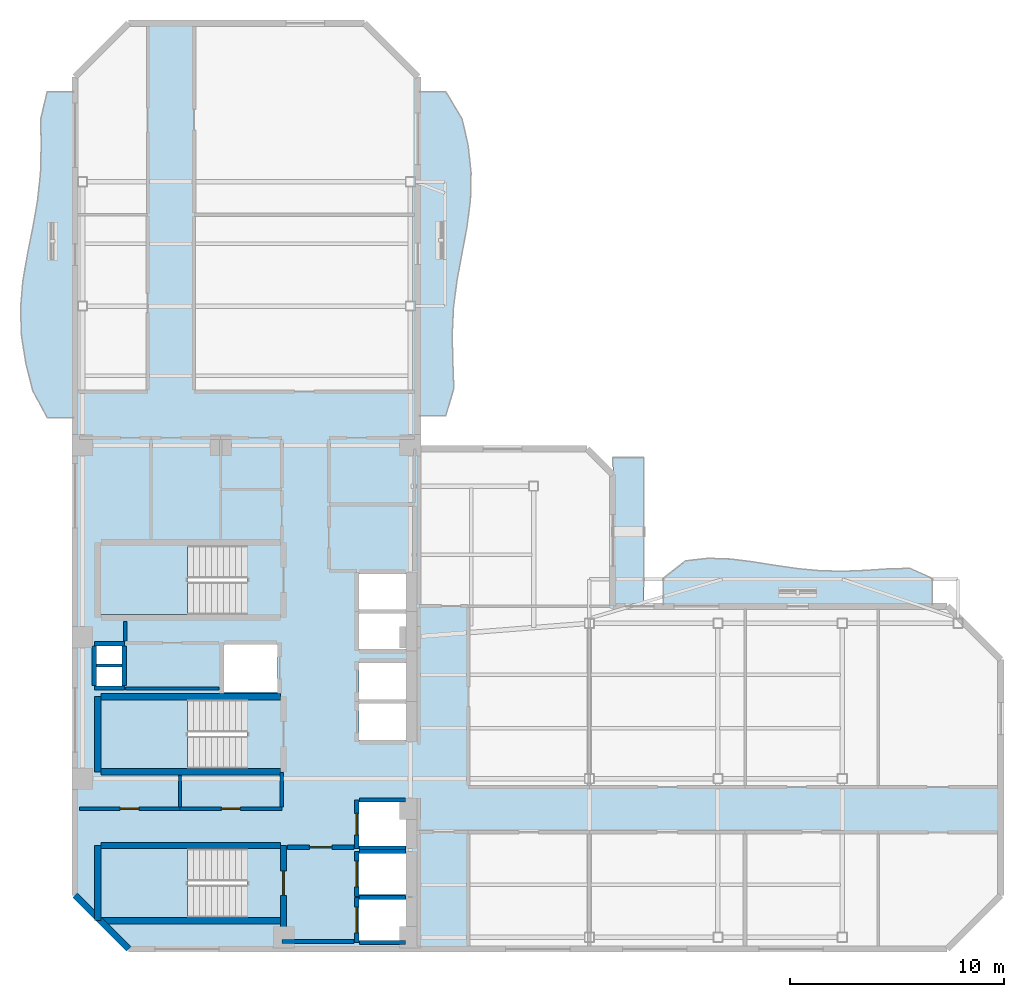
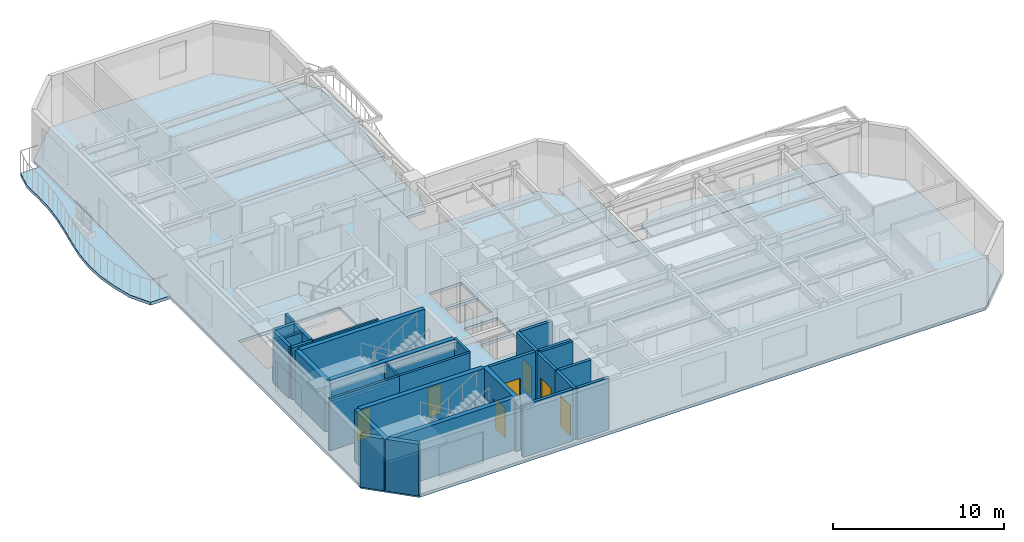
# One storey, part 2 of 9: 29 walls, 8 slabs, 7 doors, 7 openings, 3 elements without a shape of their own.
"""IFC4 building model written with IfcOpenShell, lengths in metres."""

from ifc_helpers import new_model, si_unit, direction, frame, frame_2d, origin, place, context, subcontext, project, spatial, polyline, rectangle, outline, extrude, material, layer, layer_set, type_object, element, fill, aggregate, save


model = new_model("IFC4")

# Units and contexts
model_context = context("Model", 3, precision=1e-05, world=origin(), true_north=direction((0.0, 1.0)))
body_context = subcontext(model_context, "Body", "Model", "MODEL_VIEW")
ifc_project = project(units=[si_unit("LENGTHUNIT", "METRE"), si_unit("AREAUNIT", "SQUARE_METRE"), si_unit("VOLUMEUNIT", "CUBIC_METRE"), si_unit("PLANEANGLEUNIT", "RADIAN"), si_unit("MASSUNIT", "GRAM", prefix="KILO")], contexts=[model_context])

# Site, building, storey
site_placement = place(None, origin())
site = spatial("IfcSite", under=ifc_project, at=site_placement, CompositionType="ELEMENT")
building_placement = place(site_placement, origin())
building = spatial("IfcBuilding", under=site, at=building_placement, Name="Mawjaban Terraces University", CompositionType="ELEMENT")
storey_placement = place(building_placement, frame((0.0, 0.0, 195.300048828125)))
storey = spatial("IfcBuildingStorey", under=building, at=storey_placement, Name="L47", CompositionType="ELEMENT", Elevation=195.300048828125)

# Slabs
ifc_material_1 = material(Name="Concrete C40/50", Category="concrete")
ifc_layer_1 = layer(ifc_material_1, 0.2099609375)
ifc_layer_set_1 = layer_set([ifc_layer_1], Name="Concrete C40/50")
slab_type_1 = type_object("IfcSlabType", Name="BalconySlab_210_Ext", PredefinedType="FLOOR", material=ifc_layer_set_1)
slab_1_placement = place(storey_placement, frame((0.0, 0.0, -0.2099609375)))
element("IfcSlab", 1, at=slab_1_placement, inside=storey, type_object=slab_type_1, Name="L47 Planted Balcony Slab west", PredefinedType="FLOOR", context=body_context, shape_type="SweptSolid", body=[
    extrude(outline(polyline([(22.010009765625, 24.800048828125), (22.010009765625, 40.0), (20.699951171875, 40.0), (20.403076171875, 38.73291015625), (20.422119140625, 37.467041015625), (20.388916015625, 36.199951171875), (20.2548828125, 34.93310546875), (20.032958984375, 33.6669921875), (19.777099609375, 32.39990234375), (19.56201171875, 31.133056640625), (19.4580078125, 29.866943359375), (19.506103515625, 28.60009765625), (19.705078125, 27.3330078125), (20.02392578125, 26.06689453125), (20.699951171875, 24.800048828125), (22.010009765625, 24.800048828125)])), origin(), (0.0, 0.0, 1.0), 0.2099609375),
])
slab_2_placement = place(storey_placement, frame((0.0, 0.0, -0.2099609375)))
element("IfcSlab", 2, at=slab_2_placement, inside=storey, type_object=slab_type_1, Name="L47 Planted Balcony Slab inner_north", PredefinedType="FLOOR", context=body_context, shape_type="SweptSolid", body=[
    extrude(outline(polyline([(49.449951171875, 15.989990234375), (62.0, 15.989990234375), (62.0, 17.300048828125), (60.9541015625, 17.764892578125), (59.907958984375, 17.736083984375), (58.862060546875, 17.666015625), (57.81689453125, 17.6259765625), (56.77099609375, 17.65087890625), (55.72509765625, 17.7490234375), (54.678955078125, 17.90087890625), (53.633056640625, 18.068115234375), (52.587890625, 18.196044921875), (51.5419921875, 18.23291015625), (50.49609375, 18.114990234375), (49.449951171875, 17.300048828125), (49.449951171875, 15.989990234375)])), origin(), (0.0, 0.0, 1.0), 0.2099609375),
])
slab_3_placement = place(storey_placement, frame((0.0, 0.0, -0.2099609375)))
element("IfcSlab", 3, at=slab_3_placement, inside=storey, type_object=slab_type_1, Name="L47 Planted Balcony Slab inner_east", PredefinedType="FLOOR", context=body_context, shape_type="SweptSolid", body=[
    extrude(outline(polyline([(39.300048828125, 24.887939453125), (39.676025390625, 26.14697265625), (39.6298828125, 27.406982421875), (39.60107421875, 28.666015625), (39.659912109375, 29.925048828125), (39.822998046875, 31.18505859375), (40.055908203125, 32.444091796875), (40.291015625, 33.702880859375), (40.452880859375, 34.962890625), (40.48095703125, 36.221923828125), (40.347900390625, 37.48095703125), (40.06103515625, 38.740966796875), (39.300048828125, 40.0), (37.989990234375, 40.0), (37.989990234375, 24.887939453125), (39.300048828125, 24.887939453125)])), origin(), (0.0, 0.0, 1.0), 0.2099609375),
])
ifc_layer_2 = layer(ifc_material_1, 0.2099609375)
ifc_layer_set_2 = layer_set([ifc_layer_2], Name="Concrete C40/50")
slab_type_2 = type_object("IfcSlabType", Name="CompositeSlab_210", PredefinedType="FLOOR", material=ifc_layer_set_2)
slab_4_placement = place(storey_placement, frame((0.0, 0.0, -0.2099609375)))
element("IfcSlab", 4, at=slab_4_placement, inside=storey, type_object=slab_type_2, Name="L47 Primary Structural Slab", PredefinedType="FLOOR", context=body_context, shape_type="SweptSolid", body=[
    extrude(outline(polyline([(24.5, 0.0), (62.699951171875, 0.0), (65.199951171875, 2.5), (65.199951171875, 13.5), (62.699951171875, 16.0), (47.10009765625, 16.0), (47.10009765625, 22.135009765625), (45.89990234375, 23.3349609375), (38.0, 23.3349609375), (38.0, 40.699951171875), (35.5, 43.199951171875), (24.5, 43.199951171875), (22.0, 40.699951171875), (22.0, 2.5), (24.5, 0.0)]), holes=[polyline([(30.014892578125, 4.699951171875), (23.199951171875, 4.699951171875), (23.199951171875, 1.449951171875), (30.014892578125, 1.449951171875), (30.014892578125, 4.699951171875)]), polyline([(30.014892578125, 18.85009765625), (23.199951171875, 18.85009765625), (23.199951171875, 15.60009765625), (30.014892578125, 15.60009765625), (30.014892578125, 18.85009765625)]), polyline([(30.014892578125, 11.64990234375), (23.199951171875, 11.64990234375), (23.199951171875, 8.39990234375), (30.014892578125, 8.39990234375), (30.014892578125, 11.64990234375)]), polyline([(35.25, 0.39990234375), (37.449951171875, 0.39990234375), (37.449951171875, 2.300048828125), (35.25, 2.300048828125), (35.25, 0.39990234375)]), polyline([(35.25, 2.550048828125), (37.449951171875, 2.550048828125), (37.449951171875, 4.449951171875), (35.25, 4.449951171875), (35.25, 2.550048828125)]), polyline([(35.25, 4.800048828125), (37.449951171875, 4.800048828125), (37.449951171875, 6.85009765625), (35.25, 6.85009765625), (35.25, 4.800048828125)]), polyline([(35.25, 9.75), (37.449951171875, 9.75), (37.449951171875, 11.449951171875), (35.25, 11.449951171875), (35.25, 9.75)]), polyline([(35.25, 11.64990234375), (37.449951171875, 11.64990234375), (37.449951171875, 13.35009765625), (35.25, 13.35009765625), (35.25, 11.64990234375)]), polyline([(28.949951171875, 12.0), (31.449951171875, 12.0), (31.449951171875, 14.199951171875), (28.949951171875, 14.199951171875), (28.949951171875, 12.0)]), polyline([(35.25, 14.0), (37.449951171875, 14.0), (37.449951171875, 15.64990234375), (35.25, 15.64990234375), (35.25, 14.0)]), polyline([(35.25, 15.85009765625), (37.449951171875, 15.85009765625), (37.449951171875, 17.5), (35.25, 17.5), (35.25, 15.85009765625)]), polyline([(23.0, 12.25), (24.199951171875, 12.25), (24.199951171875, 13.14990234375), (23.0, 13.14990234375), (23.0, 12.25)]), polyline([(23.0, 13.300048828125), (24.199951171875, 13.300048828125), (24.199951171875, 14.179931640625), (23.0, 14.179931640625), (23.0, 13.300048828125)])]), origin(), (0.0, 0.0, 1.0), 0.2099609375),
])

# Stair, slab
stair_type = type_object("IfcStairType", Name="Stair_Core1550_H39", PredefinedType="HALF_TURN_STAIR", material=ifc_material_1)
stair_1_placement = place(storey_placement, origin())
stair_1 = element("IfcStair", 5, at=stair_1_placement, inside=storey, type_object=stair_type, Name="L47 Core Exit Stair 1", PredefinedType="HALF_TURN_STAIR")
ifc_layer_3 = layer(ifc_material_1, 0.199951171875)
ifc_layer_set_3 = layer_set([ifc_layer_3], Name="Concrete C40/50")
slab_type_3 = type_object("IfcSlabType", Name="StairLandingSlab_200", PredefinedType="LANDING", material=ifc_layer_set_3)
slab_5_placement = place(storey_placement, frame((0.0, 0.0, 1.75)))
slab_5 = element("IfcSlab", 6, at=slab_5_placement, type_object=slab_type_3, Name="ST-1 landing 1", PredefinedType="LANDING", context=body_context, shape_type="SweptSolid", body=[
    extrude(outline(polyline([(27.25, 4.699951171875), (23.199951171875, 4.699951171875), (23.199951171875, 1.449951171875), (27.25, 1.449951171875), (27.25, 4.699951171875)])), origin(), (0.0, 0.0, 1.0), 0.199951171875),
])
aggregate(stair_1, [slab_5])

stair_2_placement = place(storey_placement, origin())
stair_2 = element("IfcStair", 7, at=stair_2_placement, inside=storey, type_object=stair_type, Name="L47 Core Exit Stair 2", PredefinedType="HALF_TURN_STAIR")
slab_6_placement = place(storey_placement, frame((0.0, 0.0, 1.75)))
slab_6 = element("IfcSlab", 8, at=slab_6_placement, type_object=slab_type_3, Name="ST-2 landing 1", PredefinedType="LANDING", context=body_context, shape_type="SweptSolid", body=[
    extrude(outline(polyline([(27.25, 18.85009765625), (23.199951171875, 18.85009765625), (23.199951171875, 15.60009765625), (27.25, 15.60009765625), (27.25, 18.85009765625)])), origin(), (0.0, 0.0, 1.0), 0.199951171875),
])
aggregate(stair_2, [slab_6])

stair_3_placement = place(storey_placement, origin())
stair_3 = element("IfcStair", 9, at=stair_3_placement, inside=storey, type_object=stair_type, Name="L47 Core Exit Stair 3", PredefinedType="HALF_TURN_STAIR")
slab_7_placement = place(storey_placement, frame((0.0, 0.0, 1.75)))
slab_7 = element("IfcSlab", 10, at=slab_7_placement, type_object=slab_type_3, Name="ST-3 landing 1", PredefinedType="LANDING", context=body_context, shape_type="SweptSolid", body=[
    extrude(outline(polyline([(27.25, 11.64990234375), (23.199951171875, 11.64990234375), (23.199951171875, 8.39990234375), (27.25, 8.39990234375), (27.25, 11.64990234375)])), origin(), (0.0, 0.0, 1.0), 0.199951171875),
])
aggregate(stair_3, [slab_7])

# Slab
ifc_layer_4 = layer(ifc_material_1, 0.2099609375)
ifc_layer_set_4 = layer_set([ifc_layer_4], Name="Concrete C40/50")
slab_type_4 = type_object("IfcSlabType", Name="StudyTerraceSlab_210_Ext", PredefinedType="FLOOR", material=ifc_layer_set_4)
slab_8_placement = place(storey_placement, frame((0.0, 0.0, -0.2099609375)))
element("IfcSlab", 11, at=slab_8_placement, inside=storey, type_object=slab_type_4, Name="L47 Exterior Study Terrace Slab", PredefinedType="FLOOR", context=body_context, shape_type="SweptSolid", body=[
    extrude(outline(polyline([(47.10009765625, 16.0), (48.550048828125, 16.0), (48.550048828125, 22.93505859375), (47.10009765625, 22.93505859375), (47.10009765625, 16.0)])), origin(), (0.0, 0.0, 1.0), 0.2099609375),
])

# Wall, opening, door
ifc_material_2 = material(Name="Fire-rated gypsum board on steel stud", Category="steel")
ifc_layer_5 = layer(ifc_material_2, 0.159912109375)
ifc_layer_set_5 = layer_set([ifc_layer_5], Name="Fire-rated gypsum board on steel stud")
wall_type_1 = type_object("IfcWallType", Name="CorridorPartition_160", PredefinedType="PARTITIONING", material=ifc_layer_set_5)
wall_1_placement = place(storey_placement, frame((26.89990234375, 6.550048828125, 0.0), z_axis=(0.0, 0.0, 1.0), x_axis=(-1.0, 0.0, 0.0)))
wall_1 = element("IfcWall", 12, at=wall_1_placement, inside=storey, type_object=wall_type_1, Name="L47 Core Washroom Lobby Partition 6", PredefinedType="PARTITIONING", context=body_context, shape_type="SweptSolid", body=[
    extrude(rectangle(XDim=4.699951171875, YDim=0.159912109375, at=frame_2d((2.35009765625, 0.0))), origin(), (0.0, 0.0, 1.0), 3.68994140625),
])
opening_1_placement = place(wall_1_placement, frame((1.909912109375, 0.0, 0.0)))
opening_1 = element("IfcOpeningElement", 13, at=opening_1_placement, cuts=wall_1, Name="Opening ID-088", PredefinedType="OPENING", context=body_context, shape_type="SweptSolid", body=[
    extrude(rectangle(XDim=0.8798828125, YDim=2.10009765625, at=frame_2d((0.43994140625, 1.050048828125))), frame((0.0, 0.08984375, 0.0), z_axis=(0.0, -1.0, 0.0), x_axis=(1.0, 0.0, 0.0)), (0.0, 0.0, 1.0), 0.179931640625),
])
ifc_material_3 = material(Name="Powder-coated steel frame and solid acoustic timber leaf", Category="steel")
door_type_1 = type_object("IfcDoorType", Name="ToiletDoor_880x2100", OperationType="NOTDEFINED", PredefinedType="DOOR", material=ifc_material_3)
door_1_placement = place(opening_1_placement, origin())
door_1 = element("IfcDoor", 14, at=door_1_placement, inside=storey, type_object=door_type_1, Name="L47 Male Toilet Door", OperationType="SINGLE_SWING_RIGHT", OverallHeight=2.10009765625, OverallWidth=0.8798828125, PredefinedType="DOOR", context=body_context, shape_type="SweptSolid", body=[
    extrude(rectangle(XDim=0.8798828125, YDim=2.10009765625, at=frame_2d((0.43994140625, 1.050048828125))), frame((0.0, 0.02490234375, 0.0), z_axis=(0.0, -1.0, 0.0), x_axis=(1.0, 0.0, 0.0)), (0.0, 0.0, 1.0), 0.050048828125),
])
fill(opening_1, door_1)

wall_2_placement = place(storey_placement, frame((31.64990234375, 6.550048828125, 0.0), z_axis=(0.0, 0.0, 1.0), x_axis=(-1.0, 0.0, 0.0)))
wall_2 = element("IfcWall", 15, at=wall_2_placement, inside=storey, type_object=wall_type_1, Name="L47 Core Washroom Lobby Partition 9", PredefinedType="PARTITIONING", context=body_context, shape_type="SweptSolid", body=[
    extrude(rectangle(XDim=4.75, YDim=0.159912109375, at=frame_2d((2.375, 0.0))), origin(), (0.0, 0.0, 1.0), 3.68994140625),
])
opening_2_placement = place(wall_2_placement, frame((1.93505859375, 0.0, 0.0)))
opening_2 = element("IfcOpeningElement", 16, at=opening_2_placement, cuts=wall_2, Name="Opening ID-088", PredefinedType="OPENING", context=body_context, shape_type="SweptSolid", body=[
    extrude(rectangle(XDim=0.8798828125, YDim=2.10009765625, at=frame_2d((0.43994140625, 1.050048828125))), frame((0.0, 0.08984375, 0.0), z_axis=(0.0, -1.0, 0.0), x_axis=(1.0, 0.0, 0.0)), (0.0, 0.0, 1.0), 0.179931640625),
])
door_2_placement = place(opening_2_placement, origin())
door_2 = element("IfcDoor", 17, at=door_2_placement, inside=storey, type_object=door_type_1, Name="L47 Accessible Toilet Door", OperationType="SINGLE_SWING_LEFT", OverallHeight=2.10009765625, OverallWidth=0.8798828125, PredefinedType="DOOR", context=body_context, shape_type="SweptSolid", body=[
    extrude(rectangle(XDim=0.8798828125, YDim=2.10009765625, at=frame_2d((0.43994140625, 1.050048828125))), frame((0.0, 0.02490234375, 0.0), z_axis=(0.0, -1.0, 0.0), x_axis=(1.0, 0.0, 0.0)), (0.0, 0.0, 1.0), 0.050048828125),
])
fill(opening_2, door_2)

# Walls
wall_3_placement = place(storey_placement, frame((24.35009765625, 15.2900390625, 0.0), z_axis=(0.0, 0.0, 1.0), x_axis=(0.0, -1.0, 0.0)))
element("IfcWall", 18, at=wall_3_placement, inside=storey, type_object=wall_type_1, Name="L47 Core Riser Access Passage Partition 30", PredefinedType="PARTITIONING", context=body_context, shape_type="SweptSolid", body=[
    extrude(rectangle(XDim=0.9150390625, YDim=0.159912109375, at=frame_2d((0.45751953125, 0.0))), origin(), (0.0, 0.0, 1.0), 3.68994140625),
])
wall_4_placement = place(storey_placement, frame((31.64990234375, 8.239990234375, 0.0), z_axis=(0.0, 0.0, 1.0), x_axis=(0.0, -1.0, 0.0)))
element("IfcWall", 19, at=wall_4_placement, inside=storey, type_object=wall_type_1, Name="L47 High-Rise Lift Lobby Partition 39", PredefinedType="PARTITIONING", context=body_context, shape_type="SweptSolid", body=[
    extrude(rectangle(XDim=1.614990234375, YDim=0.159912109375, at=frame_2d((0.8076171875, 0.0))), origin(), (0.0, 0.0, 1.0), 3.68994140625),
])
ifc_material_4 = material(Name="Insulated terracotta rainscreen on concrete backup C40/50", Category="masonry")
ifc_layer_6 = layer(ifc_material_4, 0.300048828125)
ifc_layer_set_6 = layer_set([ifc_layer_6], Name="Insulated terracotta rainscreen on concrete backup C40/50")
wall_type_2 = type_object("IfcWallType", Name="ExtTerracottaWall_300", PredefinedType="SOLIDWALL", material=ifc_layer_set_6)
wall_5_placement = place(storey_placement, frame((22.0, 2.5, 0.0), z_axis=(0.0, 0.0, 1.0), x_axis=(0.707106781187, -0.707106781187, 0.0)))
element("IfcWall", 20, at=wall_5_placement, inside=storey, type_object=wall_type_2, Name="L47 Exterior Terracotta Wall 14", PredefinedType="SOLIDWALL", context=body_context, shape_type="SweptSolid", body=[
    extrude(rectangle(XDim=3.53564453125, YDim=0.300048828125, at=frame_2d((1.767822265625, 0.0))), origin(), (0.0, 0.0, 1.0), 3.68994140625),
])

# Wall, opening, door
ifc_layer_7 = layer(ifc_material_1, 0.199951171875)
ifc_layer_set_7 = layer_set([ifc_layer_7], Name="Concrete C40/50")
wall_type_3 = type_object("IfcWallType", Name="FireLobbyWall_200", PredefinedType="SOLIDWALL", material=ifc_layer_set_7)
wall_6_placement = place(storey_placement, frame((35.14990234375, 2.39990234375, 0.0), z_axis=(0.0, 0.0, 1.0), x_axis=(0.0, -1.0, 0.0)))
wall_6 = element("IfcWall", 21, at=wall_6_placement, inside=storey, type_object=wall_type_3, Name="L47 Lift FL-1 Hoistway Wall West", PredefinedType="SOLIDWALL", context=body_context, shape_type="SweptSolid", body=[
    extrude(rectangle(XDim=2.099853515625, YDim=0.199951171875, at=frame_2d((1.0498046875, 0.0))), origin(), (0.0, 0.0, 1.0), 3.68994140625),
])
opening_3_placement = place(wall_6_placement, frame((0.449951171875, 0.0, 0.0)))
opening_3 = element("IfcOpeningElement", 22, at=opening_3_placement, cuts=wall_6, Name="Opening LD-FL-1", PredefinedType="OPENING", context=body_context, shape_type="SweptSolid", body=[
    extrude(rectangle(XDim=1.199951171875, YDim=2.14990234375, at=frame_2d((0.60009765625, 1.074951171875))), frame((0.0, 0.10986328125, 0.0), z_axis=(0.0, -1.0, 0.0), x_axis=(1.0, 0.0, 0.0)), (0.0, 0.0, 1.0), 0.219970703125),
])
ifc_material_5 = material(Name="Powder-coated steel frame and fire-rated steel-faced leaf", Category="steel")
door_type_2 = type_object("IfcDoorType", Name="LiftLandingFSAE_1200x2150", OperationType="NOTDEFINED", PredefinedType="DOOR", material=ifc_material_5)
door_3_placement = place(opening_3_placement, origin())
door_3 = element("IfcDoor", 23, at=door_3_placement, inside=storey, type_object=door_type_2, Name="L47 Lift FL-1 Sliding Landing Door", OperationType="DOUBLE_DOOR_SLIDING", OverallHeight=2.14990234375, OverallWidth=1.199951171875, PredefinedType="DOOR", context=body_context, shape_type="SweptSolid", body=[
    extrude(rectangle(XDim=1.199951171875, YDim=2.14990234375, at=frame_2d((0.60009765625, 1.074951171875))), frame((0.0, 0.02490234375, 0.0), z_axis=(0.0, -1.0, 0.0), x_axis=(1.0, 0.0, 0.0)), (0.0, 0.0, 1.0), 0.050048828125),
])
fill(opening_3, door_3)

# Walls
for number, where, z_axis, x_axis, name in (
    (24, (35.280029296875, 0.300048828125, 0.0), (0.0, 0.0, 1.0), (1.0, 0.0, 0.0), "L47 Lift FL-1 Hoistway Wall South"),
    (25, (37.419921875, 2.39990234375, 0.0), (0.0, 0.0, 1.0), (-1.0, 0.0, 0.0), "L47 Lift FL-1 Hoistway Wall North"),
):
    element("IfcWall", number, at=place(storey_placement, frame(where, z_axis=z_axis, x_axis=x_axis)), inside=storey, type_object=wall_type_3, Name=name, PredefinedType="SOLIDWALL", context=body_context, shape_type="SweptSolid", body=[
        extrude(rectangle(XDim=2.139892578125, YDim=0.199951171875, at=frame_2d((1.06982421875, 0.0))), origin(), (0.0, 0.0, 1.0), 3.68994140625),
    ])

# Wall, opening, door
wall_7_placement = place(storey_placement, frame((35.14990234375, 4.550048828125, 0.0), z_axis=(0.0, 0.0, 1.0), x_axis=(0.0, -1.0, 0.0)))
wall_7 = element("IfcWall", 26, at=wall_7_placement, inside=storey, type_object=wall_type_3, Name="L47 Lift FL-2 Hoistway Wall West", PredefinedType="SOLIDWALL", context=body_context, shape_type="SweptSolid", body=[
    extrude(rectangle(XDim=2.10009765625, YDim=0.199951171875, at=frame_2d((1.050048828125, 0.0))), origin(), (0.0, 0.0, 1.0), 3.68994140625),
])
opening_4_placement = place(wall_7_placement, frame((0.449951171875, 0.0, 0.0)))
opening_4 = element("IfcOpeningElement", 27, at=opening_4_placement, cuts=wall_7, Name="Opening LD-FL-2", PredefinedType="OPENING", context=body_context, shape_type="SweptSolid", body=[
    extrude(rectangle(XDim=1.199951171875, YDim=2.14990234375, at=frame_2d((0.60009765625, 1.074951171875))), frame((0.0, 0.10986328125, 0.0), z_axis=(0.0, -1.0, 0.0), x_axis=(1.0, 0.0, 0.0)), (0.0, 0.0, 1.0), 0.219970703125),
])
door_4_placement = place(opening_4_placement, origin())
door_4 = element("IfcDoor", 28, at=door_4_placement, inside=storey, type_object=door_type_2, Name="L47 Lift FL-2 Sliding Landing Door", OperationType="DOUBLE_DOOR_SLIDING", OverallHeight=2.14990234375, OverallWidth=1.199951171875, PredefinedType="DOOR", context=body_context, shape_type="SweptSolid", body=[
    extrude(rectangle(XDim=1.199951171875, YDim=2.14990234375, at=frame_2d((0.60009765625, 1.074951171875))), frame((0.0, 0.02490234375, 0.0), z_axis=(0.0, -1.0, 0.0), x_axis=(1.0, 0.0, 0.0)), (0.0, 0.0, 1.0), 0.050048828125),
])
fill(opening_4, door_4)

# Wall
wall_8_placement = place(storey_placement, frame((37.419921875, 4.550048828125, 0.0), z_axis=(0.0, 0.0, 1.0), x_axis=(-1.0, 0.0, 0.0)))
element("IfcWall", 29, at=wall_8_placement, inside=storey, type_object=wall_type_3, Name="L47 Lift FL-2 Hoistway Wall North", PredefinedType="SOLIDWALL", context=body_context, shape_type="SweptSolid", body=[
    extrude(rectangle(XDim=2.139892578125, YDim=0.199951171875, at=frame_2d((1.06982421875, 0.0))), origin(), (0.0, 0.0, 1.0), 3.68994140625),
])

# Wall, opening, door
wall_9_placement = place(storey_placement, frame((35.14990234375, 6.949951171875, 0.0), z_axis=(0.0, 0.0, 1.0), x_axis=(0.0, -1.0, 0.0)))
wall_9 = element("IfcWall", 30, at=wall_9_placement, inside=storey, type_object=wall_type_3, Name="L47 Lift SL-1 Hoistway Wall West", PredefinedType="SOLIDWALL", context=body_context, shape_type="SweptSolid", body=[
    extrude(rectangle(XDim=2.25, YDim=0.199951171875, at=frame_2d((1.125, 0.0))), origin(), (0.0, 0.0, 1.0), 3.68994140625),
])
opening_5_placement = place(wall_9_placement, frame((0.625, 0.0, 0.0)))
opening_5 = element("IfcOpeningElement", 31, at=opening_5_placement, cuts=wall_9, Name="Opening LD-SL-1", PredefinedType="OPENING", context=body_context, shape_type="SweptSolid", body=[
    extrude(rectangle(XDim=1.0, YDim=2.10009765625, at=frame_2d((0.5, 1.050048828125))), frame((0.0, 0.10986328125, 0.0), z_axis=(0.0, -1.0, 0.0), x_axis=(1.0, 0.0, 0.0)), (0.0, 0.0, 1.0), 0.219970703125),
])
door_type_3 = type_object("IfcDoorType", Name="LiftLandingSliding_1000x2100", OperationType="NOTDEFINED", PredefinedType="DOOR", material=ifc_material_5)
door_5_placement = place(opening_5_placement, origin())
door_5 = element("IfcDoor", 32, at=door_5_placement, inside=storey, type_object=door_type_3, Name="L47 Lift SL-1 Sliding Landing Door", OperationType="DOUBLE_DOOR_SLIDING", OverallHeight=2.10009765625, OverallWidth=1.0, PredefinedType="DOOR", context=body_context, shape_type="SweptSolid", body=[
    extrude(rectangle(XDim=1.0, YDim=2.10009765625, at=frame_2d((0.5, 1.050048828125))), frame((0.0, 0.02490234375, 0.0), z_axis=(0.0, -1.0, 0.0), x_axis=(1.0, 0.0, 0.0)), (0.0, 0.0, 1.0), 0.050048828125),
])
fill(opening_5, door_5)

# Walls
for number, where, z_axis, x_axis, name in (
    (33, (35.280029296875, 4.699951171875, 0.0), (0.0, 0.0, 1.0), (1.0, 0.0, 0.0), "L47 Lift SL-1 Hoistway Wall South"),
    (34, (37.419921875, 6.949951171875, 0.0), (0.0, 0.0, 1.0), (-1.0, 0.0, 0.0), "L47 Lift SL-1 Hoistway Wall North"),
):
    element("IfcWall", number, at=place(storey_placement, frame(where, z_axis=z_axis, x_axis=x_axis)), inside=storey, type_object=wall_type_3, Name=name, PredefinedType="SOLIDWALL", context=body_context, shape_type="SweptSolid", body=[
        extrude(rectangle(XDim=2.139892578125, YDim=0.199951171875, at=frame_2d((1.06982421875, 0.0))), origin(), (0.0, 0.0, 1.0), 3.68994140625),
    ])
for number, where, z_axis, x_axis, name in (
    (35, (22.89990234375, 14.25, 0.0), (0.0, 0.0, 1.0), (1.0, 0.0, 0.0), "L47 MEP Riser Shaft Wall N"),
    (36, (22.89990234375, 12.179931640625, 0.0), (0.0, 0.0, 1.0), (1.0, 0.0, 0.0), "L47 MEP Riser Shaft Wall S"),
):
    element("IfcWall", number, at=place(storey_placement, frame(where, z_axis=z_axis, x_axis=x_axis)), inside=storey, type_object=wall_type_3, Name=name, PredefinedType="SOLIDWALL", context=body_context, shape_type="SweptSolid", body=[
        extrude(rectangle(XDim=1.400146484375, YDim=0.199951171875, at=frame_2d((0.7001953125, 0.0))), origin(), (0.0, 0.0, 1.0), 3.68994140625),
    ])
for number, where, z_axis, x_axis, name in (
    (37, (24.300048828125, 12.300048828125, 0.0), (0.0, 0.0, 1.0), (0.0, 1.0, 0.0), "L47 MEP Riser Shaft Wall E"),
    (38, (22.89990234375, 12.300048828125, 0.0), (0.0, 0.0, 1.0), (0.0, 1.0, 0.0), "L47 MEP Riser Shaft Wall W"),
):
    element("IfcWall", number, at=place(storey_placement, frame(where, z_axis=z_axis, x_axis=x_axis)), inside=storey, type_object=wall_type_3, Name=name, PredefinedType="SOLIDWALL", context=body_context, shape_type="SweptSolid", body=[
        extrude(rectangle(XDim=1.829833984375, YDim=0.199951171875, at=frame_2d((0.9150390625, 0.0))), origin(), (0.0, 0.0, 1.0), 3.68994140625),
    ])
wall_10_placement = place(storey_placement, frame((31.64990234375, 0.35009765625, 0.0), z_axis=(0.0, 0.0, 1.0), x_axis=(1.0, 0.0, 0.0)))
element("IfcWall", 39, at=wall_10_placement, inside=storey, type_object=wall_type_3, Name="L47 Firefighting Lift Lobby Partition 8", PredefinedType="SOLIDWALL", context=body_context, shape_type="SweptSolid", body=[
    extrude(rectangle(XDim=3.3701171875, YDim=0.199951171875, at=frame_2d((1.68505859375, 0.0))), origin(), (0.0, 0.0, 1.0), 3.68994140625),
])

# Wall, opening, door
wall_11_placement = place(storey_placement, frame((35.02001953125, 4.75, 0.0), z_axis=(0.0, 0.0, 1.0), x_axis=(-1.0, 0.0, 0.0)))
wall_11 = element("IfcWall", 40, at=wall_11_placement, inside=storey, type_object=wall_type_3, Name="L47 Firefighting Lift Lobby Partition 13", PredefinedType="SOLIDWALL", context=body_context, shape_type="SweptSolid", body=[
    extrude(rectangle(XDim=3.110107421875, YDim=0.199951171875, at=frame_2d((1.55517578125, 0.0))), origin(), (0.0, 0.0, 1.0), 3.68994140625),
])
opening_6_placement = place(wall_11_placement, frame((1.030029296875, 0.0, 0.0)))
opening_6 = element("IfcOpeningElement", 41, at=opening_6_placement, cuts=wall_11, Name="Opening FD-105", PredefinedType="OPENING", context=body_context, shape_type="SweptSolid", body=[
    extrude(rectangle(XDim=1.050048828125, YDim=2.14990234375, at=frame_2d((0.52490234375, 1.074951171875))), frame((0.0, 0.10986328125, 0.0), z_axis=(0.0, -1.0, 0.0), x_axis=(1.0, 0.0, 0.0)), (0.0, 0.0, 1.0), 0.219970703125),
])
door_type_4 = type_object("IfcDoorType", Name="FireLobbyDoor_1050x2150", OperationType="NOTDEFINED", PredefinedType="DOOR", material=ifc_material_5)
door_6_placement = place(opening_6_placement, origin())
door_6 = element("IfcDoor", 42, at=door_6_placement, inside=storey, type_object=door_type_4, Name="L47 Firefighting Lift Lobby Door", OperationType="SINGLE_SWING_LEFT", OverallHeight=2.14990234375, OverallWidth=1.050048828125, PredefinedType="DOOR", context=body_context, shape_type="SweptSolid", body=[
    extrude(rectangle(XDim=1.050048828125, YDim=2.14990234375, at=frame_2d((0.52490234375, 1.074951171875))), frame((0.0, 0.02490234375, 0.0), z_axis=(0.0, -1.0, 0.0), x_axis=(1.0, 0.0, 0.0)), (0.0, 0.0, 1.0), 0.050048828125),
])
fill(opening_6, door_6)

# Walls
ifc_material_6 = material(Name="Moisture-resistant gypsum board on steel stud", Category="steel")
ifc_layer_8 = layer(ifc_material_6, 0.14501953125)
ifc_layer_set_8 = layer_set([ifc_layer_8], Name="Moisture-resistant gypsum board on steel stud")
wall_type_4 = type_object("IfcWallType", Name="LabPartition_145", PredefinedType="PARTITIONING", material=ifc_layer_set_8)
wall_12_placement = place(storey_placement, frame((23.010009765625, 13.22509765625, 0.0), z_axis=(0.0, 0.0, 1.0), x_axis=(1.0, 0.0, 0.0)))
element("IfcWall", 43, at=wall_12_placement, inside=storey, type_object=wall_type_4, Name="L47 MEP Riser Shaft Wall M", PredefinedType="PARTITIONING", context=body_context, shape_type="SweptSolid", body=[
    extrude(rectangle(XDim=1.179931640625, YDim=0.14501953125, at=frame_2d((0.58984375, 0.0))), origin(), (0.0, 0.0, 1.0), 3.68994140625),
])
ifc_material_7 = material(Name="Concrete C60/75", Category="concrete")
ifc_layer_9 = layer(ifc_material_7, 0.300048828125)
ifc_layer_set_9 = layer_set([ifc_layer_9], Name="Concrete C60/75")
wall_type_5 = type_object("IfcWallType", Name="StairShaftWall_300", PredefinedType="SHEAR", material=ifc_layer_set_9)
wall_13_placement = place(storey_placement, frame((31.580078125, 4.830078125, 0.0), z_axis=(0.0, 0.0, 1.0), x_axis=(-1.0, 0.0, 0.0)))
element("IfcWall", 44, at=wall_13_placement, inside=storey, type_object=wall_type_5, Name="L47 ST-1 Stair Shaft Wall 1", PredefinedType="SHEAR", context=body_context, shape_type="SweptSolid", body=[
    extrude(rectangle(XDim=8.360107421875, YDim=0.300048828125, at=frame_2d((4.18017578125, 0.0))), origin(), (0.0, 0.0, 1.0), 3.68994140625),
])
wall_14_placement = place(storey_placement, frame((23.070068359375, 4.830078125, 0.0), z_axis=(0.0, 0.0, 1.0), x_axis=(0.0, -1.0, 0.0)))
element("IfcWall", 45, at=wall_14_placement, inside=storey, type_object=wall_type_5, Name="L47 ST-1 Stair Shaft Wall 2", PredefinedType="SHEAR", context=body_context, shape_type="SweptSolid", body=[
    extrude(rectangle(XDim=3.510009765625, YDim=0.300048828125, at=frame_2d((1.7548828125, 0.0))), origin(), (0.0, 0.0, 1.0), 3.68994140625),
])
wall_15_placement = place(storey_placement, frame((23.219970703125, 1.320068359375, 0.0), z_axis=(0.0, 0.0, 1.0), x_axis=(1.0, 0.0, 0.0)))
element("IfcWall", 46, at=wall_15_placement, inside=storey, type_object=wall_type_5, Name="L47 ST-1 Stair Shaft Wall 3", PredefinedType="SHEAR", context=body_context, shape_type="SweptSolid", body=[
    extrude(rectangle(XDim=8.360107421875, YDim=0.300048828125, at=frame_2d((4.18017578125, 0.0))), origin(), (0.0, 0.0, 1.0), 3.68994140625),
])

# Wall, opening, door
wall_16_placement = place(storey_placement, frame((31.72998046875, 0.9599609375, 0.0), z_axis=(0.0, 0.0, 1.0), x_axis=(0.0, 1.0, 0.0)))
wall_16 = element("IfcWall", 47, at=wall_16_placement, inside=storey, type_object=wall_type_5, Name="L47 ST-1 Stair Shaft Wall 4", PredefinedType="SHEAR", context=body_context, shape_type="SweptSolid", body=[
    extrude(rectangle(XDim=3.8701171875, YDim=0.300048828125, at=frame_2d((1.93505859375, 0.0))), origin(), (0.0, 0.0, 1.0), 3.68994140625),
])
opening_7_placement = place(wall_16_placement, frame((1.5400390625, 0.0, 0.0)))
opening_7 = element("IfcOpeningElement", 48, at=opening_7_placement, cuts=wall_16, Name="Opening FD-115", PredefinedType="OPENING", context=body_context, shape_type="SweptSolid", body=[
    extrude(rectangle(XDim=1.14990234375, YDim=2.14990234375, at=frame_2d((0.574951171875, 1.074951171875))), frame((0.0, 0.159912109375, 0.0), z_axis=(0.0, -1.0, 0.0), x_axis=(1.0, 0.0, 0.0)), (0.0, 0.0, 1.0), 0.320068359375),
])
door_type_5 = type_object("IfcDoorType", Name="FireStairDoor_1150x2150", OperationType="NOTDEFINED", PredefinedType="DOOR", material=ifc_material_5)
door_7_placement = place(opening_7_placement, origin())
door_7 = element("IfcDoor", 49, at=door_7_placement, inside=storey, type_object=door_type_5, Name="L47 ST-1 Pressurised Stair Fire Door", OperationType="SINGLE_SWING_RIGHT", OverallHeight=2.14990234375, OverallWidth=1.14990234375, PredefinedType="DOOR", context=body_context, shape_type="SweptSolid", body=[
    extrude(rectangle(XDim=1.14990234375, YDim=2.14990234375, at=frame_2d((0.574951171875, 1.074951171875))), frame((0.0, 0.02490234375, 0.0), z_axis=(0.0, -1.0, 0.0), x_axis=(1.0, 0.0, 0.0)), (0.0, 0.0, 1.0), 0.050048828125),
])
fill(opening_7, door_7)

# Walls
wall_17_placement = place(storey_placement, frame((31.580078125, 11.780029296875, 0.0), z_axis=(0.0, 0.0, 1.0), x_axis=(-1.0, 0.0, 0.0)))
element("IfcWall", 50, at=wall_17_placement, inside=storey, type_object=wall_type_5, Name="L47 ST-3 Stair Shaft Wall 1", PredefinedType="SHEAR", context=body_context, shape_type="SweptSolid", body=[
    extrude(rectangle(XDim=8.360107421875, YDim=0.300048828125, at=frame_2d((4.18017578125, 0.0))), origin(), (0.0, 0.0, 1.0), 3.68994140625),
])
wall_18_placement = place(storey_placement, frame((23.070068359375, 11.780029296875, 0.0), z_axis=(0.0, 0.0, 1.0), x_axis=(0.0, -1.0, 0.0)))
element("IfcWall", 51, at=wall_18_placement, inside=storey, type_object=wall_type_5, Name="L47 ST-3 Stair Shaft Wall 2", PredefinedType="SHEAR", context=body_context, shape_type="SweptSolid", body=[
    extrude(rectangle(XDim=3.510009765625, YDim=0.300048828125, at=frame_2d((1.7548828125, 0.0))), origin(), (0.0, 0.0, 1.0), 3.68994140625),
])
wall_19_placement = place(storey_placement, frame((23.219970703125, 8.27001953125, 0.0), z_axis=(0.0, 0.0, 1.0), x_axis=(1.0, 0.0, 0.0)))
element("IfcWall", 52, at=wall_19_placement, inside=storey, type_object=wall_type_5, Name="L47 ST-3 Stair Shaft Wall 3", PredefinedType="SHEAR", context=body_context, shape_type="SweptSolid", body=[
    extrude(rectangle(XDim=8.360107421875, YDim=0.300048828125, at=frame_2d((4.18017578125, 0.0))), origin(), (0.0, 0.0, 1.0), 3.68994140625),
])
ifc_material_8 = material(Name="Cement-board wet-room partition", Category="masonry")
ifc_layer_10 = layer(ifc_material_8, 0.135009765625)
ifc_layer_set_10 = layer_set([ifc_layer_10], Name="Cement-board wet-room partition")
wall_type_6 = type_object("IfcWallType", Name="WetRoomPartition_135", PredefinedType="PARTITIONING", material=ifc_layer_set_10)
wall_20_placement = place(storey_placement, frame((24.35009765625, 12.14990234375, 0.0), z_axis=(0.0, 0.0, 1.0), x_axis=(1.0, 0.0, 0.0)))
element("IfcWall", 53, at=wall_20_placement, inside=storey, type_object=wall_type_6, Name="L47 Ablution Room Partition 1", PredefinedType="PARTITIONING", context=body_context, shape_type="SweptSolid", body=[
    extrude(rectangle(XDim=4.369873046875, YDim=0.135009765625, at=frame_2d((2.18505859375, 0.0))), origin(), (0.0, 0.0, 1.0), 3.68994140625),
])
wall_21_placement = place(storey_placement, frame((26.89990234375, 6.625, 0.0), z_axis=(0.0, 0.0, 1.0), x_axis=(0.0, 1.0, 0.0)))
element("IfcWall", 54, at=wall_21_placement, inside=storey, type_object=wall_type_6, Name="L47 Male Toilet Partition 34", PredefinedType="PARTITIONING", context=body_context, shape_type="SweptSolid", body=[
    extrude(rectangle(XDim=1.465087890625, YDim=0.135009765625, at=frame_2d((0.732421875, 0.0))), origin(), (0.0, 0.0, 1.0), 3.68994140625),
])

save(model, "model.ifc")
